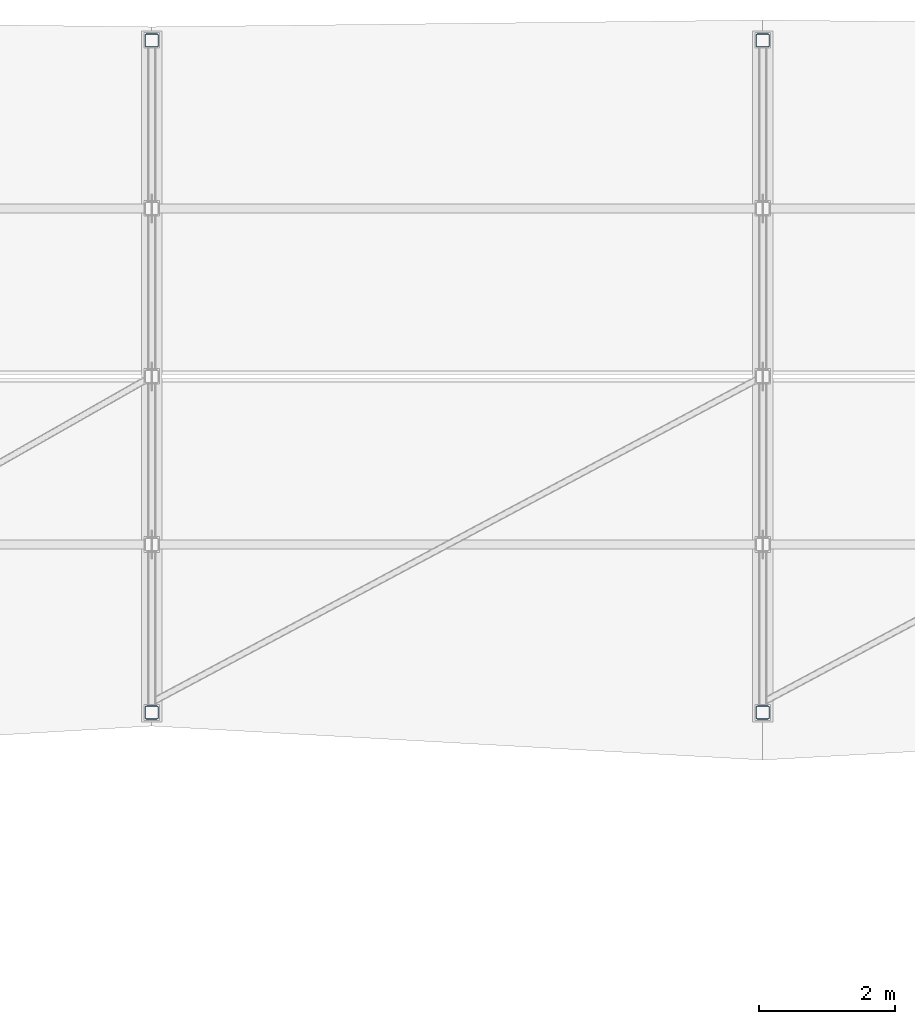
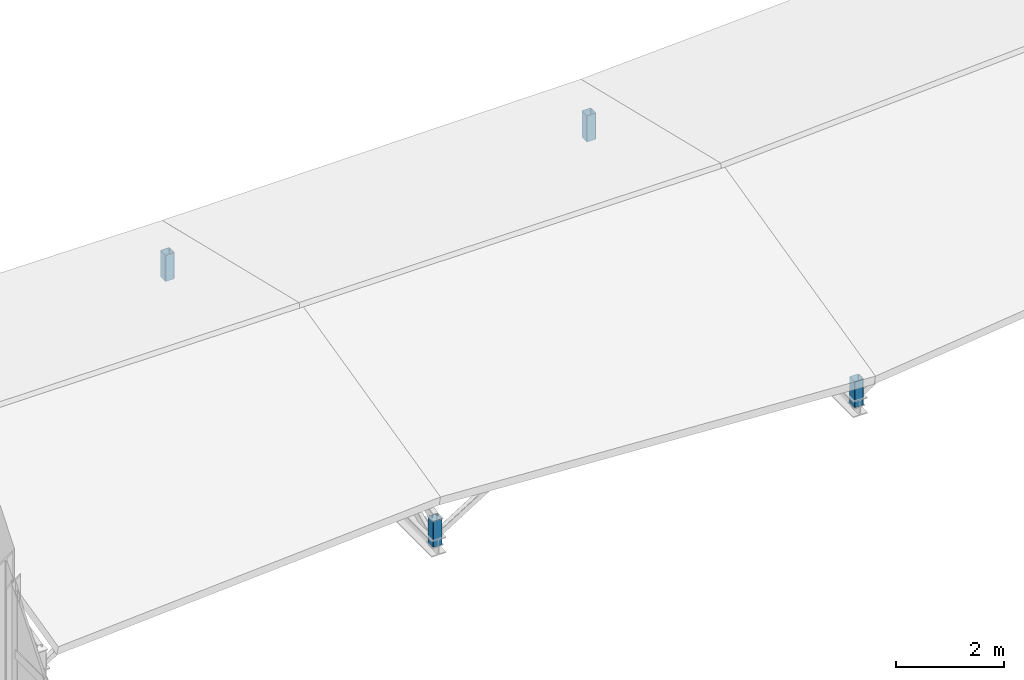
# One storey, part 49 of 90: 4 members.
"""IFC4 building model written with IfcOpenShell, lengths in metres."""

from ifc_helpers import new_model, si_unit, direction, frame, origin, origin_2d, place, context, subcontext, project, spatial, hollow_rectangle, extrude, material, material_profile, profile_set, type_object, element, save


model = new_model("IFC4")

# Units and contexts
model_context = context("Model", 3, precision=1e-05, world=origin(), true_north=direction((0.0, 1.0)))
body_context = subcontext(model_context, "Body", "Model", "MODEL_VIEW")
ifc_project = project(units=[si_unit("LENGTHUNIT", "METRE"), si_unit("AREAUNIT", "SQUARE_METRE"), si_unit("VOLUMEUNIT", "CUBIC_METRE"), si_unit("PLANEANGLEUNIT", "RADIAN"), si_unit("MASSUNIT", "GRAM", prefix="KILO")], contexts=[model_context])

# Site, building, storey
site_placement = place(None, origin())
site = spatial("IfcSite", under=ifc_project, at=site_placement, CompositionType="ELEMENT")
building_placement = place(site_placement, origin())
building = spatial("IfcBuilding", under=site, at=building_placement, Name="Bozkorgan Art Gallery", CompositionType="ELEMENT")
storey_placement = place(building_placement, frame((0.0, 0.0, 5.39990234375)))
storey = spatial("IfcBuildingStorey", under=building, at=storey_placement, Name="L01", CompositionType="ELEMENT", Elevation=5.39990234375)

# Members
ifc_material = material(Name="Steel S355J2", Category="steel")
ifc_material_profile = material_profile(ifc_material, hollow_rectangle(XDim=0.199951171875, YDim=0.199951171875, WallThickness=0.010009765625, InnerFilletRadius=0.014892578125, OuterFilletRadius=0.02490234375, at=origin_2d()), Name="SHS 200x200x10")
ifc_profile_set = profile_set([ifc_material_profile], Name="Steel S355J2")
member_type = type_object("IfcMemberType", Name="MEMBER-TP-32", PredefinedType="POST", material=ifc_profile_set)
for number, where, z_axis, x_axis, name in (
    (1, (29.0, 102.64990234375, 0.18017578125), (0.0, 0.0, 1.0), (1.0, 0.0, 0.0), "ROOF-V2-NORTH roof truss 2 post 0"),
    (2, (29.0, 112.550048828125, 0.18017578125), (0.0, 0.0, 1.0), (1.0, 0.0, 0.0), "ROOF-V2-NORTH roof truss 2 post 4"),
    (3, (38.0, 102.64990234375, 0.18017578125), (0.0, 0.0, 1.0), (1.0, 0.0, 0.0), "ROOF-V2-NORTH roof truss 3 post 0"),
    (4, (38.0, 112.550048828125, 0.18017578125), (0.0, 0.0, 1.0), (1.0, 0.0, 0.0), "ROOF-V2-NORTH roof truss 3 post 4"),
):
    element("IfcMember", number, at=place(storey_placement, frame(where, z_axis=z_axis, x_axis=x_axis)), inside=storey, type_object=member_type, Name=name, PredefinedType="POST", context=body_context, shape_type="SweptSolid", body=[
        extrude(hollow_rectangle(XDim=0.199951171875, YDim=0.199951171875, WallThickness=0.010009765625, InnerFilletRadius=0.014892578125, OuterFilletRadius=0.02490234375, at=origin_2d()), origin(), (0.0, 0.0, 1.0), 0.589599609375),
    ])

save(model, "model.ifc")
